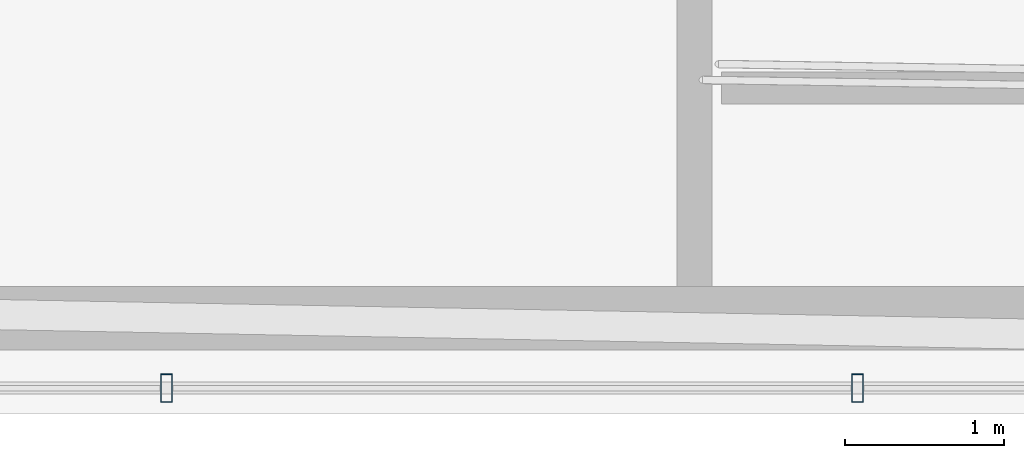
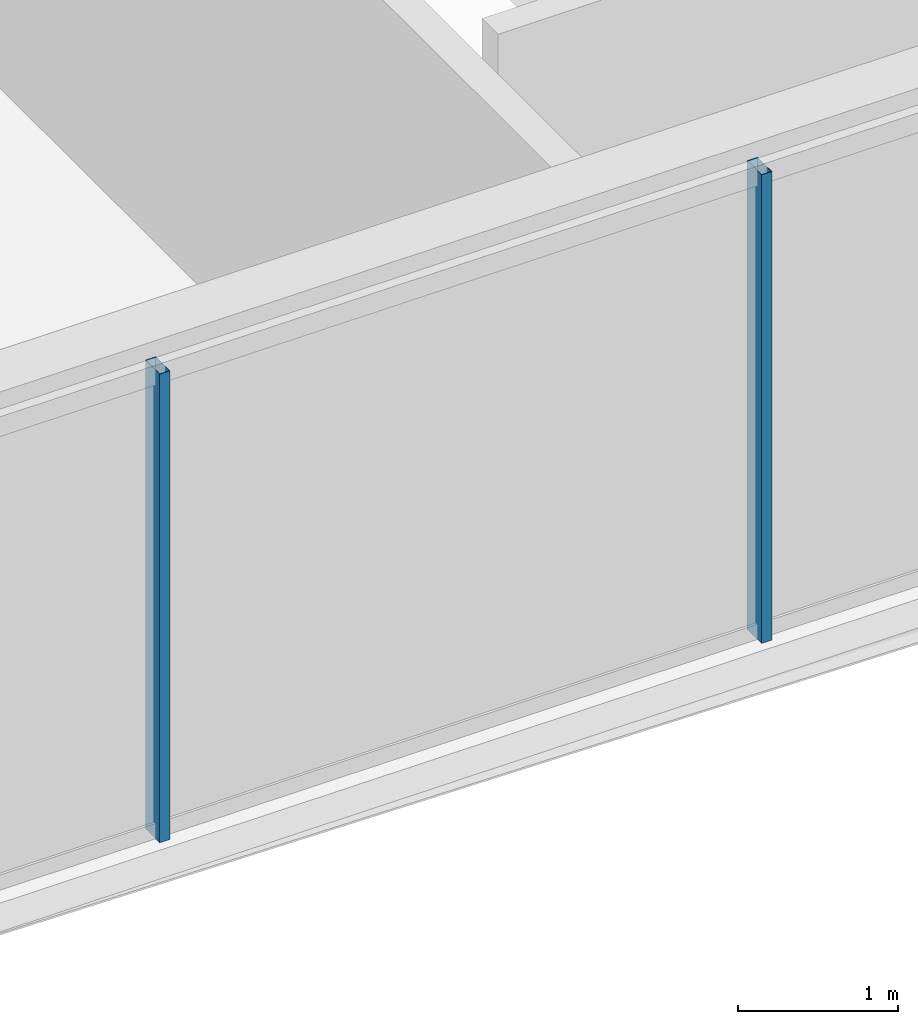
# One storey, part 6 of 29: 2 members, 1 element without a shape of its own.
"""IFC4 building model written with IfcOpenShell, lengths in metres."""

from ifc_helpers import new_model, si_unit, direction, frame, origin, origin_2d, place, context, subcontext, project, spatial, hollow_rectangle, extrude, material, layer, layer_set, material_profile, profile_set, type_object, element, aggregate, save


model = new_model("IFC4")

# Units and contexts
model_context = context("Model", 3, precision=1e-05, world=origin(), true_north=direction((0.0, 1.0)))
body_context = subcontext(model_context, "Body", "Model", "MODEL_VIEW")
ifc_project = project(units=[si_unit("LENGTHUNIT", "METRE"), si_unit("AREAUNIT", "SQUARE_METRE"), si_unit("VOLUMEUNIT", "CUBIC_METRE"), si_unit("PLANEANGLEUNIT", "RADIAN"), si_unit("MASSUNIT", "GRAM", prefix="KILO")], contexts=[model_context])

# Site, building, storey
site_placement = place(None, origin())
site = spatial("IfcSite", under=ifc_project, at=site_placement, CompositionType="ELEMENT")
building_placement = place(site_placement, origin())
building = spatial("IfcBuilding", under=site, at=building_placement, Name="Ndaravel Arena Tower", CompositionType="ELEMENT")
storey_placement = place(building_placement, frame((0.0, 0.0, 229.39990234375)))
storey = spatial("IfcBuildingStorey", under=building, at=storey_placement, Name="L55", CompositionType="ELEMENT", Elevation=229.39990234375)

# Curtain wall, members
ifc_material_1 = material(Name="Aluminium", Category="aluminium")
ifc_layer = layer(ifc_material_1, 0.179931640625)
ifc_layer_set = layer_set([ifc_layer], Name="Aluminium")
curtain_wall_type = type_object("IfcCurtainWallType", Name="CW-SYS-03", PredefinedType="NOTDEFINED", material=ifc_layer_set)
curtain_wall_placement = place(storey_placement, origin())
curtain_wall = element("IfcCurtainWall", 1, at=curtain_wall_placement, inside=storey, type_object=curtain_wall_type, Name="L55 Faceted Crystal Curtain Wall CW-L55-E01", PredefinedType="NOTDEFINED")
ifc_material_2 = material(Name="Aluminium", Category="aluminium")
ifc_material_profile = material_profile(ifc_material_2, hollow_rectangle(XDim=0.074951171875, YDim=0.179931640625, WallThickness=0.00390625, at=origin_2d()), Name="CW MULLION 75x180x4")
ifc_profile_set = profile_set([ifc_material_profile], Name="Aluminium")
member_type = type_object("IfcMemberType", Name="MEM-CW-MUL180", PredefinedType="MULLION", material=ifc_profile_set)
member_1_placement = place(storey_placement, frame((35.47705078125, 5.159912109375, 0.0), z_axis=(0.0, 0.0, 1.0), x_axis=(1.0, 0.0, 0.0)))
member_1 = element("IfcMember", 2, at=member_1_placement, type_object=member_type, Name="CW-L55-E01 Mullion 03", PredefinedType="MULLION", context=body_context, shape_type="SweptSolid", body=[
    extrude(hollow_rectangle(XDim=0.074951171875, YDim=0.179931640625, WallThickness=0.00390625, at=origin_2d()), origin(), (0.0, 0.0, 1.0), 3.580078125),
])
member_2_placement = place(storey_placement, frame((39.82568359375, 5.159912109375, 0.0), z_axis=(0.0, 0.0, 1.0), x_axis=(1.0, 0.0, 0.0)))
member_2 = element("IfcMember", 3, at=member_2_placement, type_object=member_type, Name="CW-L55-E01 Mullion 04", PredefinedType="MULLION", context=body_context, shape_type="SweptSolid", body=[
    extrude(hollow_rectangle(XDim=0.074951171875, YDim=0.179931640625, WallThickness=0.00390625, at=origin_2d()), origin(), (0.0, 0.0, 1.0), 3.580078125),
])
aggregate(curtain_wall, [member_1, member_2])

save(model, "model.ifc")
